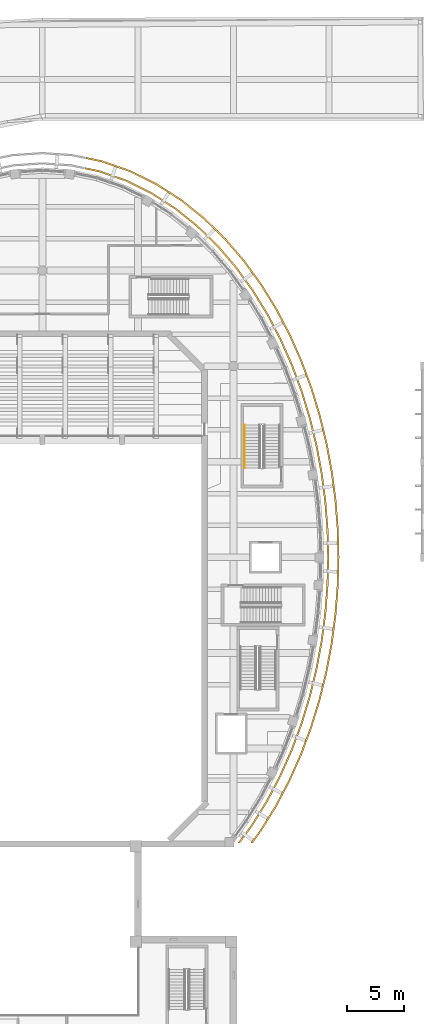
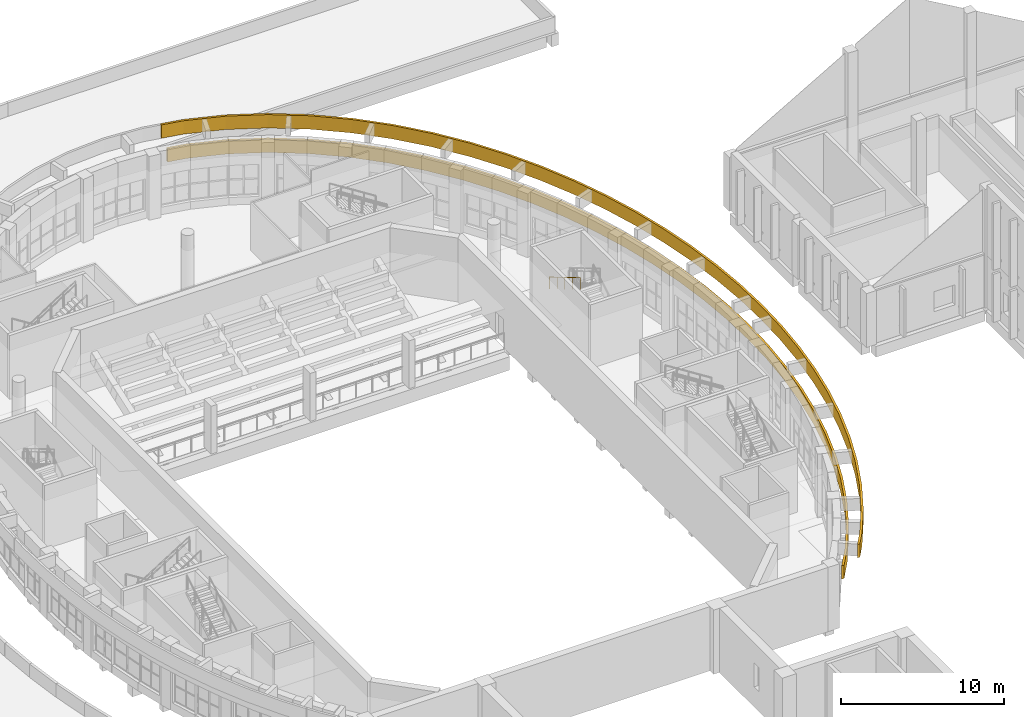
# One storey, part 72 of 79: 2 coverings, 1 railing.
"""IFC4 building model written with IfcOpenShell, lengths in metres."""

from ifc_helpers import new_model, si_unit, direction, frame, origin, origin_2d, place, context, subcontext, project, spatial, polyline, circle, outline, extrude, material, layer, layer_set, type_object, element, save


model = new_model("IFC4")

# Units and contexts
model_context = context("Model", 3, precision=1e-05, world=origin(), true_north=direction((0.0, 1.0)))
body_context = subcontext(model_context, "Body", "Model", "MODEL_VIEW")
ifc_project = project(units=[si_unit("LENGTHUNIT", "METRE"), si_unit("AREAUNIT", "SQUARE_METRE"), si_unit("VOLUMEUNIT", "CUBIC_METRE"), si_unit("PLANEANGLEUNIT", "RADIAN"), si_unit("MASSUNIT", "GRAM", prefix="KILO")], contexts=[model_context])

# Site, building, storey
site_placement = place(None, origin())
site = spatial("IfcSite", under=ifc_project, at=site_placement, CompositionType="ELEMENT")
building_placement = place(site_placement, origin())
building = spatial("IfcBuilding", under=site, at=building_placement, Name="Larchfold Concert Hall", CompositionType="ELEMENT")
storey_placement = place(building_placement, frame((0.0, 0.0, 14.39990234375)))
storey = spatial("IfcBuildingStorey", under=building, at=storey_placement, Name="L03", CompositionType="ELEMENT", Elevation=14.39990234375)

# Coverings
ifc_material_1 = material(Name="Powder-coated orange aluminium", Category="aluminium")
ifc_layer = layer(ifc_material_1, 0.14990234375)
ifc_layer_set = layer_set([ifc_layer], Name="Powder-coated orange aluminium")
covering_type = type_object("IfcCoveringType", Name="Orange aluminium ring cladding", PredefinedType="CLADDING", material=ifc_layer_set)
covering_1_placement = place(storey_placement, frame((0.0, 0.0, 3.300048828125)))
element("IfcCovering", 1, at=covering_1_placement, inside=storey, type_object=covering_type, Name="Ring band R06a", PredefinedType="CLADDING", context=body_context, shape_type="SweptSolid", body=[
    extrude(outline(polyline([(66.760986328125, 74.727294921875), (67.217529296875, 77.172119140625), (67.5419921875, 79.63720703125), (67.73583984375, 82.115478515625), (67.80029296875, 84.60009765625), (67.736572265625, 87.0693359375), (67.545166015625, 89.5322265625), (67.224609375, 91.982421875), (66.77392578125, 94.41259765625), (66.1904296875, 96.81591796875), (65.471435546875, 99.18359375), (64.61328125, 101.506103515625), (63.61181640625, 103.773193359375), (62.462646484375, 105.97216796875), (61.160400390625, 108.088134765625), (59.70068359375, 110.103271484375), (58.078857421875, 111.996826171875), (56.29296875, 113.7431640625), (54.34228515625, 115.31298828125), (52.23291015625, 116.672607421875), (49.9765625, 117.78564453125), (47.59521484375, 118.614990234375), (46.34130859375, 118.875244140625), (46.324951171875, 118.725341796875), (47.55517578125, 118.47021484375), (49.91845703125, 117.647216796875), (52.158935546875, 116.5419921875), (54.25439453125, 115.191162109375), (56.193359375, 113.630859375), (57.96923828125, 111.894287109375), (59.582763671875, 110.01025390625), (61.03564453125, 108.004638671875), (62.33203125, 105.89794921875), (63.4765625, 103.7080078125), (64.47412109375, 101.449951171875), (65.3291015625, 99.1357421875), (66.045654296875, 96.7763671875), (66.627197265625, 94.381103515625), (67.076416015625, 91.958984375), (67.39599609375, 89.5166015625), (67.5869140625, 87.0615234375), (67.650146484375, 84.60009765625), (67.586181640625, 82.123291015625), (67.392822265625, 79.65283203125), (67.0693359375, 77.19580078125), (66.6142578125, 74.7587890625), (66.025390625, 72.349853515625), (65.299560546875, 69.9775390625), (64.43359375, 67.65087890625), (63.42333984375, 65.38134765625), (62.263427734375, 63.181640625), (60.94970703125, 61.067626953125), (59.802001953125, 59.5), (59.98779296875, 59.5), (61.07421875, 60.983642578125), (62.3935546875, 63.107177734375), (63.558349609375, 65.315673828125), (64.572509765625, 67.59423828125), (65.44189453125, 69.92919921875), (66.170166015625, 72.31005859375), (66.760986328125, 74.727294921875)])), origin(), (0.0, 0.0, 1.0), 1.0),
])
covering_2_placement = place(storey_placement, frame((0.0, 0.0, 4.5)))
element("IfcCovering", 2, at=covering_2_placement, inside=storey, type_object=covering_type, Name="Ring band R07a", PredefinedType="CLADDING", context=body_context, shape_type="SweptSolid", body=[
    extrude(outline(polyline([(67.64111328125, 74.53759765625), (68.106689453125, 77.03076171875), (68.437255859375, 79.543212890625), (68.635009765625, 82.06884765625), (68.700439453125, 84.60009765625), (68.6357421875, 87.115966796875), (68.440673828125, 89.62548828125), (68.114013671875, 92.122802734375), (67.654296875, 94.600830078125), (67.05908203125, 97.052978515625), (66.324951171875, 99.470458984375), (65.44775390625, 101.84423828125), (64.423095703125, 104.163818359375), (63.24560546875, 106.4169921875), (61.9091796875, 108.588623046875), (60.407958984375, 110.660888671875), (58.736572265625, 112.612548828125), (56.89111328125, 114.4169921875), (54.86962890625, 116.043701171875), (52.67724609375, 117.45703125), (50.324951171875, 118.617431640625), (47.835693359375, 119.484375), (46.438720703125, 119.774169921875), (46.422607421875, 119.624267578125), (47.795654296875, 119.33935546875), (50.266845703125, 118.478759765625), (52.603271484375, 117.326416015625), (54.78173828125, 115.921875), (56.79150390625, 114.3046875), (58.626953125, 112.509765625), (60.2900390625, 110.568115234375), (61.784423828125, 108.50537109375), (63.114990234375, 106.3427734375), (64.287841796875, 104.098876953125), (65.308837890625, 101.7880859375), (66.1826171875, 99.422607421875), (66.914306640625, 97.013427734375), (67.507568359375, 94.569580078125), (67.9658203125, 92.099365234375), (68.291259765625, 89.610107421875), (68.48583984375, 87.108154296875), (68.550537109375, 84.60009765625), (68.485107421875, 82.076416015625), (68.2880859375, 79.558837890625), (67.95849609375, 77.054443359375), (67.494384765625, 74.5693359375), (66.8935546875, 72.111328125), (66.15234375, 69.6884765625), (65.267333984375, 67.310546875), (64.2333984375, 64.988037109375), (63.044677734375, 62.73388671875), (61.696044921875, 60.5634765625), (60.91748046875, 59.5), (61.103271484375, 59.5), (61.820556640625, 60.4794921875), (63.1748046875, 62.6591796875), (64.368408203125, 64.92236328125), (65.40625, 67.25390625), (66.294677734375, 69.640380859375), (67.038330078125, 72.071533203125), (67.64111328125, 74.53759765625)])), origin(), (0.0, 0.0, 1.0), 1.0),
])

# Railing
ifc_material_2 = material(Name="Stainless steel handrail", Category="steel")
railing_type = type_object("IfcRailingType", Name="Stair handrail 900", PredefinedType="HANDRAIL", material=ifc_material_2)
railing_placement = place(storey_placement, frame((60.35009765625, 96.22998046875, 2.56005859375)))
element("IfcRailing", 3, at=railing_placement, inside=storey, type_object=railing_type, Name="Handrail HR0002", PredefinedType="HANDRAIL", context=body_context, shape_type="SweptSolid", body=[
    extrude(circle(Radius=0.02392578125, at=origin_2d()), frame((0.0, 0.0, 0.8759765625), z_axis=(0.0, -0.860294241299, 0.509797821089), x_axis=(1.0, 0.0, 0.0)), (0.0, 0.0, 1.0), 4.393798828125),
    extrude(circle(Radius=0.02099609375, at=origin_2d()), origin(), (0.0, 0.0, 1.0), 0.851806640625),
    extrude(circle(Radius=0.02099609375, at=origin_2d()), frame((0.0, -0.945068359375, 0.56005859375)), (0.0, 0.0, 1.0), 0.851806640625),
    extrude(circle(Radius=0.02099609375, at=origin_2d()), frame((0.0, -1.89013671875, 1.1201171875)), (0.0, 0.0, 1.0), 0.851806640625),
    extrude(circle(Radius=0.02099609375, at=origin_2d()), frame((0.0, -2.8349609375, 1.679931640625)), (0.0, 0.0, 1.0), 0.851806640625),
    extrude(circle(Radius=0.02099609375, at=origin_2d()), frame((0.0, -3.780029296875, 2.239990234375)), (0.0, 0.0, 1.0), 0.851806640625),
])

save(model, "model.ifc")
